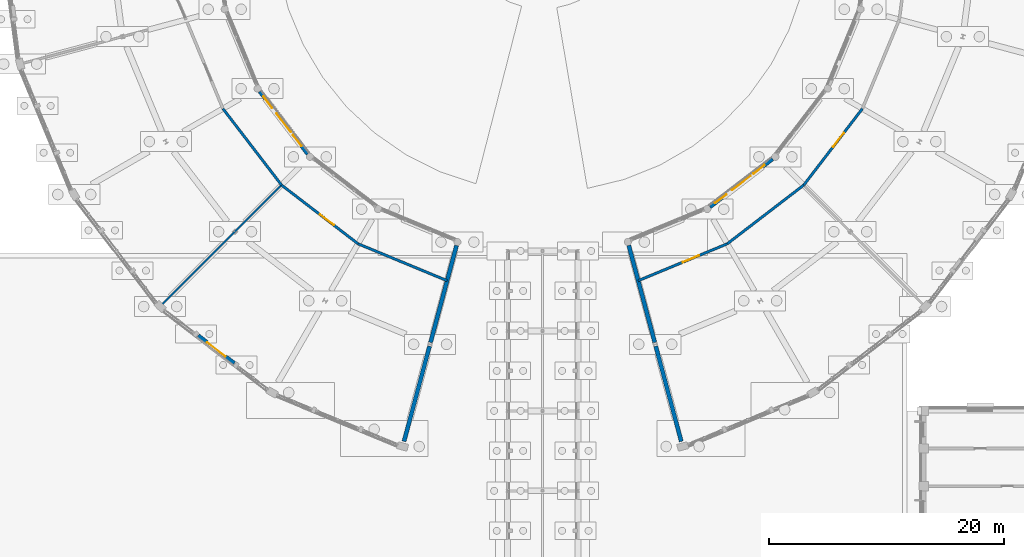
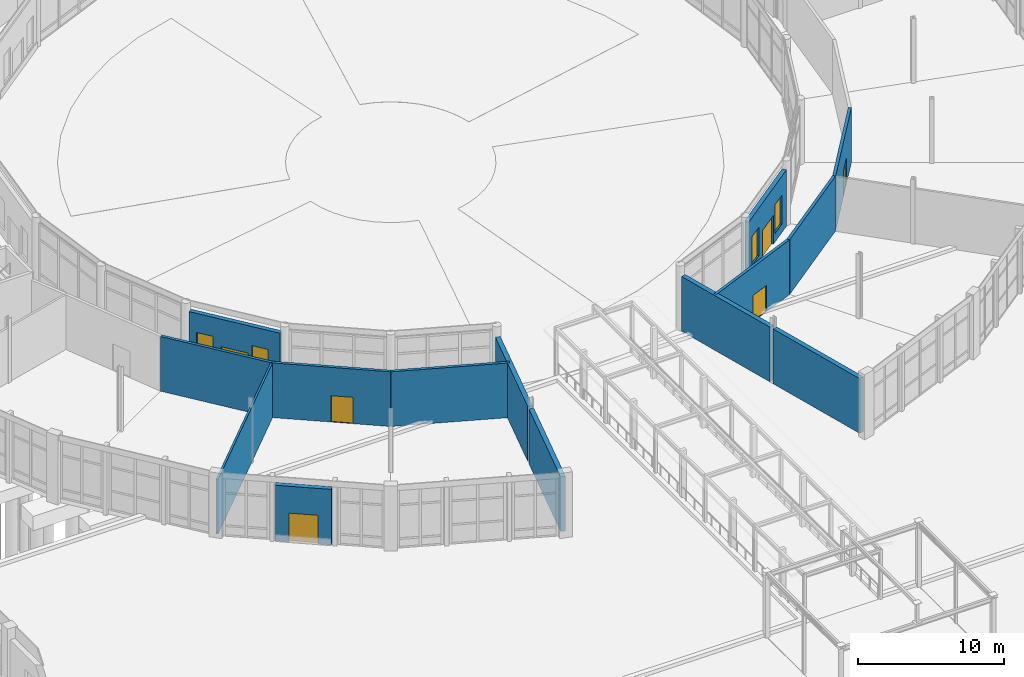
# One storey, part 104 of 137: 14 walls, 6 doors, 4 windows, 10 openings.
"""IFC4 building model written with IfcOpenShell, lengths in metres."""

from ifc_helpers import new_model, si_unit, direction, frame, frame_2d, origin, place, context, subcontext, project, spatial, rectangle, extrude, material, layer, layer_set, type_object, element, fill, save


model = new_model("IFC4")

# Units and contexts
model_context = context("Model", 3, precision=1e-05, world=origin(), true_north=direction((0.0, 1.0)))
body_context = subcontext(model_context, "Body", "Model", "MODEL_VIEW")
ifc_project = project(units=[si_unit("LENGTHUNIT", "METRE"), si_unit("AREAUNIT", "SQUARE_METRE"), si_unit("VOLUMEUNIT", "CUBIC_METRE"), si_unit("PLANEANGLEUNIT", "RADIAN"), si_unit("MASSUNIT", "GRAM", prefix="KILO")], contexts=[model_context])

# Site, building, storey
site_placement = place(None, origin())
site = spatial("IfcSite", under=ifc_project, at=site_placement, CompositionType="ELEMENT")
building_placement = place(site_placement, origin())
building = spatial("IfcBuilding", under=site, at=building_placement, Name="Vondelvale Polytechnic", CompositionType="ELEMENT")
storey_placement = place(building_placement, origin())
storey = spatial("IfcBuildingStorey", under=building, at=storey_placement, Name="L00", CompositionType="ELEMENT", Elevation=0.0)

# Wall, openings, door, windows
ifc_material_1 = material(Name="Amsterdam School iron-spot clinker clay brickwork", Category="masonry")
ifc_layer_1 = layer(ifc_material_1, 0.320068359375)
ifc_layer_set_1 = layer_set([ifc_layer_1], Name="WL-BRICK-320")
wall_type_1 = type_object("IfcWallType", Name="WL-BRICK-320", PredefinedType="SOLIDWALL", material=ifc_layer_set_1)
wall_1_placement = place(storey_placement, frame((77.933837890625, 57.76220703125, 0.0), z_axis=(0.0, 0.0, 1.0), x_axis=(0.608748490637, -0.793363268085, 0.0)))
wall_1 = element("IfcWall", 1, at=wall_1_placement, inside=storey, type_object=wall_type_1, Name="L00 exterior masonry facade wall", PredefinedType="SOLIDWALL", context=body_context, shape_type="SweptSolid", body=[
    extrude(rectangle(XDim=6.7099609375, YDim=0.320068359375, at=frame_2d((3.35498046875, 0.0))), origin(), (0.0, 0.0, 1.0), 4.694091796875),
])
opening_1_placement = place(wall_1_placement, frame((2.35498046875, 0.0, 0.0)))
opening_1 = element("IfcOpeningElement", 2, at=opening_1_placement, cuts=wall_1, Name="Opening ED-032", PredefinedType="OPENING", context=body_context, shape_type="SweptSolid", body=[
    extrude(rectangle(XDim=2.0, YDim=2.39990234375, at=frame_2d((1.0, 1.199951171875))), frame((0.0, 0.169921875, 0.0), z_axis=(0.0, -1.0, 0.0), x_axis=(1.0, 0.0, 0.0)), (0.0, 0.0, 1.0), 0.340087890625),
])
opening_2_placement = place(wall_1_placement, frame((0.550048828125, 0.0, 0.699951171875)))
opening_2 = element("IfcOpeningElement", 3, at=opening_2_placement, cuts=wall_1, Name="Opening WN-0454", PredefinedType="OPENING", context=body_context, shape_type="SweptSolid", body=[
    extrude(rectangle(XDim=1.199951171875, YDim=2.39990234375, at=frame_2d((0.60009765625, 1.199951171875))), frame((0.0, 0.169921875, 0.0), z_axis=(0.0, -1.0, 0.0), x_axis=(1.0, 0.0, 0.0)), (0.0, 0.0, 1.0), 0.340087890625),
])
opening_3_placement = place(wall_1_placement, frame((4.64990234375, 0.0, 0.699951171875)))
opening_3 = element("IfcOpeningElement", 4, at=opening_3_placement, cuts=wall_1, Name="Opening WN-0455", PredefinedType="OPENING", context=body_context, shape_type="SweptSolid", body=[
    extrude(rectangle(XDim=1.199951171875, YDim=2.39990234375, at=frame_2d((0.60009765625, 1.199951171875))), frame((0.0, 0.169921875, 0.0), z_axis=(0.0, -1.0, 0.0), x_axis=(1.0, 0.0, 0.0)), (0.0, 0.0, 1.0), 0.340087890625),
])
ifc_material_2 = material(Name="Anodised extruded aluminium 6063-T6", Category="aluminium")
door_type_1 = type_object("IfcDoorType", Name="DR-EXT-2000x2400", OperationType="DOUBLE_DOOR_SINGLE_SWING", PredefinedType="DOOR", material=ifc_material_2)
door_1_placement = place(opening_1_placement, origin())
door_1 = element("IfcDoor", 5, at=door_1_placement, inside=storey, type_object=door_type_1, Name="L00 exterior entrance/exit door ED-032", OperationType="DOUBLE_DOOR_SINGLE_SWING", OverallHeight=2.39990234375, OverallWidth=2.0, PredefinedType="DOOR", context=body_context, shape_type="SweptSolid", body=[
    extrude(rectangle(XDim=2.0, YDim=2.39990234375, at=frame_2d((1.0, 1.199951171875))), frame((0.0, 0.02490234375, 0.0), z_axis=(0.0, -1.0, 0.0), x_axis=(1.0, 0.0, 0.0)), (0.0, 0.0, 1.0), 0.050048828125),
])
fill(opening_1, door_1)
ifc_material_3 = material(Name="Double-glazed low-E insulated architectural glass", Category="glass")
window_type = type_object("IfcWindowType", Name="WN-ARCH-1200x2400", PartitioningType="SINGLE_PANEL", PredefinedType="WINDOW", material=ifc_material_3)
window_1_placement = place(opening_2_placement, origin())
window_1 = element("IfcWindow", 6, at=window_1_placement, inside=storey, type_object=window_type, Name="L00 double-glazed architectural window WN-0454", OverallHeight=2.39990234375, OverallWidth=1.199951171875, PartitioningType="SINGLE_PANEL", PredefinedType="WINDOW", context=body_context, shape_type="SweptSolid", body=[
    extrude(rectangle(XDim=1.199951171875, YDim=2.39990234375, at=frame_2d((0.60009765625, 1.199951171875))), frame((0.0, 0.030029296875, 0.0), z_axis=(0.0, -1.0, 0.0), x_axis=(1.0, 0.0, 0.0)), (0.0, 0.0, 1.0), 0.06005859375),
])
fill(opening_2, window_1)
window_2_placement = place(opening_3_placement, origin())
window_2 = element("IfcWindow", 7, at=window_2_placement, inside=storey, type_object=window_type, Name="L00 double-glazed architectural window WN-0455", OverallHeight=2.39990234375, OverallWidth=1.199951171875, PartitioningType="SINGLE_PANEL", PredefinedType="WINDOW", context=body_context, shape_type="SweptSolid", body=[
    extrude(rectangle(XDim=1.199951171875, YDim=2.39990234375, at=frame_2d((0.60009765625, 1.199951171875))), frame((0.0, 0.030029296875, 0.0), z_axis=(0.0, -1.0, 0.0), x_axis=(1.0, 0.0, 0.0)), (0.0, 0.0, 1.0), 0.06005859375),
])
fill(opening_3, window_2)

wall_2_placement = place(storey_placement, frame((116.23779296875, 47.933837890625, 0.0), z_axis=(0.0, 0.0, 1.0), x_axis=(0.793363268085, 0.608748490637, 0.0)))
wall_2 = element("IfcWall", 8, at=wall_2_placement, inside=storey, type_object=wall_type_1, Name="L00 exterior masonry facade wall", PredefinedType="SOLIDWALL", context=body_context, shape_type="SweptSolid", body=[
    extrude(rectangle(XDim=6.7099609375, YDim=0.320068359375, at=frame_2d((3.35498046875, 0.0))), origin(), (0.0, 0.0, 1.0), 4.694091796875),
])
opening_4_placement = place(wall_2_placement, frame((2.35498046875, 0.0, 0.0)))
opening_4 = element("IfcOpeningElement", 9, at=opening_4_placement, cuts=wall_2, Name="Opening ED-034", PredefinedType="OPENING", context=body_context, shape_type="SweptSolid", body=[
    extrude(rectangle(XDim=2.0, YDim=2.39990234375, at=frame_2d((1.0, 1.199951171875))), frame((0.0, 0.169921875, 0.0), z_axis=(0.0, -1.0, 0.0), x_axis=(1.0, 0.0, 0.0)), (0.0, 0.0, 1.0), 0.340087890625),
])
opening_5_placement = place(wall_2_placement, frame((0.550048828125, 0.0, 0.699951171875)))
opening_5 = element("IfcOpeningElement", 10, at=opening_5_placement, cuts=wall_2, Name="Opening WN-0456", PredefinedType="OPENING", context=body_context, shape_type="SweptSolid", body=[
    extrude(rectangle(XDim=1.199951171875, YDim=2.39990234375, at=frame_2d((0.60009765625, 1.199951171875))), frame((0.0, 0.169921875, 0.0), z_axis=(0.0, -1.0, 0.0), x_axis=(1.0, 0.0, 0.0)), (0.0, 0.0, 1.0), 0.340087890625),
])
opening_6_placement = place(wall_2_placement, frame((4.64990234375, 0.0, 0.699951171875)))
opening_6 = element("IfcOpeningElement", 11, at=opening_6_placement, cuts=wall_2, Name="Opening WN-0457", PredefinedType="OPENING", context=body_context, shape_type="SweptSolid", body=[
    extrude(rectangle(XDim=1.199951171875, YDim=2.39990234375, at=frame_2d((0.60009765625, 1.199951171875))), frame((0.0, 0.169921875, 0.0), z_axis=(0.0, -1.0, 0.0), x_axis=(1.0, 0.0, 0.0)), (0.0, 0.0, 1.0), 0.340087890625),
])
door_2_placement = place(opening_4_placement, origin())
door_2 = element("IfcDoor", 12, at=door_2_placement, inside=storey, type_object=door_type_1, Name="L00 exterior entrance/exit door ED-034", OperationType="DOUBLE_DOOR_SINGLE_SWING", OverallHeight=2.39990234375, OverallWidth=2.0, PredefinedType="DOOR", context=body_context, shape_type="SweptSolid", body=[
    extrude(rectangle(XDim=2.0, YDim=2.39990234375, at=frame_2d((1.0, 1.199951171875))), frame((0.0, 0.02490234375, 0.0), z_axis=(0.0, -1.0, 0.0), x_axis=(1.0, 0.0, 0.0)), (0.0, 0.0, 1.0), 0.050048828125),
])
fill(opening_4, door_2)
window_3_placement = place(opening_5_placement, origin())
window_3 = element("IfcWindow", 13, at=window_3_placement, inside=storey, type_object=window_type, Name="L00 double-glazed architectural window WN-0456", OverallHeight=2.39990234375, OverallWidth=1.199951171875, PartitioningType="SINGLE_PANEL", PredefinedType="WINDOW", context=body_context, shape_type="SweptSolid", body=[
    extrude(rectangle(XDim=1.199951171875, YDim=2.39990234375, at=frame_2d((0.60009765625, 1.199951171875))), frame((0.0, 0.030029296875, 0.0), z_axis=(0.0, -1.0, 0.0), x_axis=(1.0, 0.0, 0.0)), (0.0, 0.0, 1.0), 0.06005859375),
])
fill(opening_5, window_3)
window_4_placement = place(opening_6_placement, origin())
window_4 = element("IfcWindow", 14, at=window_4_placement, inside=storey, type_object=window_type, Name="L00 double-glazed architectural window WN-0457", OverallHeight=2.39990234375, OverallWidth=1.199951171875, PartitioningType="SINGLE_PANEL", PredefinedType="WINDOW", context=body_context, shape_type="SweptSolid", body=[
    extrude(rectangle(XDim=1.199951171875, YDim=2.39990234375, at=frame_2d((0.60009765625, 1.199951171875))), frame((0.0, 0.030029296875, 0.0), z_axis=(0.0, -1.0, 0.0), x_axis=(1.0, 0.0, 0.0)), (0.0, 0.0, 1.0), 0.06005859375),
])
fill(opening_6, window_4)

# Wall, opening, door
ifc_layer_2 = layer(ifc_material_1, 0.35009765625)
ifc_layer_set_2 = layer_set([ifc_layer_2], Name="WL-BRICK-350")
wall_type_2 = type_object("IfcWallType", Name="WL-BRICK-350", PredefinedType="SOLIDWALL", material=ifc_layer_set_2)
wall_3_placement = place(storey_placement, frame((75.772216796875, 34.6396484375, 0.0), z_axis=(0.0, 0.0, 1.0), x_axis=(-0.79338299148, 0.608722784878, 0.0)))
wall_3 = element("IfcWall", 15, at=wall_3_placement, inside=storey, type_object=wall_type_2, Name="L00 exterior masonry facade wall", PredefinedType="SOLIDWALL", context=body_context, shape_type="SweptSolid", body=[
    extrude(rectangle(XDim=3.87109375, YDim=0.35009765625, at=frame_2d((1.935546875, 0.0))), origin(), (0.0, 0.0, 1.0), 4.64306640625),
])
opening_7_placement = place(wall_3_placement, frame((0.935546875, 0.0, 0.0)))
opening_7 = element("IfcOpeningElement", 16, at=opening_7_placement, cuts=wall_3, Name="Opening ED-033", PredefinedType="OPENING", context=body_context, shape_type="SweptSolid", body=[
    extrude(rectangle(XDim=2.0, YDim=2.39990234375, at=frame_2d((1.0, 1.199951171875))), frame((0.0, 0.18505859375, 0.0), z_axis=(0.0, -1.0, 0.0), x_axis=(1.0, 0.0, 0.0)), (0.0, 0.0, 1.0), 0.3701171875),
])
door_3_placement = place(opening_7_placement, origin())
door_3 = element("IfcDoor", 17, at=door_3_placement, inside=storey, type_object=door_type_1, Name="L00 exterior entrance/exit door ED-033", OperationType="DOUBLE_DOOR_SINGLE_SWING", OverallHeight=2.39990234375, OverallWidth=2.0, PredefinedType="DOOR", context=body_context, shape_type="SweptSolid", body=[
    extrude(rectangle(XDim=2.0, YDim=2.39990234375, at=frame_2d((1.0, 1.199951171875))), frame((0.0, 0.02490234375, 0.0), z_axis=(0.0, -1.0, 0.0), x_axis=(1.0, 0.0, 0.0)), (0.0, 0.0, 1.0), 0.050048828125),
])
fill(opening_7, door_3)

# Walls
wall_4_placement = place(storey_placement, frame((94.675537109375, 44.66455078125, 0.0), z_axis=(0.0, 0.0, 1.0), x_axis=(-0.258815641999, -0.965926738141, 0.0)))
element("IfcWall", 18, at=wall_4_placement, inside=storey, type_object=wall_type_2, Name="L00 exterior masonry facade wall", PredefinedType="SOLIDWALL", context=body_context, shape_type="SweptSolid", body=[
    extrude(rectangle(XDim=8.538818359375, YDim=0.35009765625, at=frame_2d((4.26953125, 0.0))), origin(), (0.0, 0.0, 1.0), 4.56689453125),
])
for number, where, z_axis, x_axis, name in (
    (19, (92.3818359375, 36.104736328125, 0.0), (0.0, 0.0, 1.0), (-0.258821925128, -0.965925054584, 0.0), "L00 exterior masonry facade wall"),
    (20, (113.7890625, 28.0029296875, 0.0), (0.0, 0.0, 1.0), (-0.258821925128, 0.965925054584, 0.0), "L00 exterior masonry facade wall"),
):
    element("IfcWall", number, at=place(storey_placement, frame(where, z_axis=z_axis, x_axis=x_axis)), inside=storey, type_object=wall_type_2, Name=name, PredefinedType="SOLIDWALL", context=body_context, shape_type="SweptSolid", body=[
        extrude(rectangle(XDim=8.3876953125, YDim=0.35009765625, at=frame_2d((4.19384765625, 0.0))), origin(), (0.0, 0.0, 1.0), 4.56689453125),
    ])
wall_5_placement = place(storey_placement, frame((111.534423828125, 36.416748046875, 0.0), z_axis=(0.0, 0.0, 1.0), x_axis=(-0.258815641999, 0.965926738141, 0.0)))
element("IfcWall", 21, at=wall_5_placement, inside=storey, type_object=wall_type_2, Name="L00 exterior masonry facade wall", PredefinedType="SOLIDWALL", context=body_context, shape_type="SweptSolid", body=[
    extrude(rectangle(XDim=8.538818359375, YDim=0.35009765625, at=frame_2d((4.26953125, 0.0))), origin(), (0.0, 0.0, 1.0), 4.56689453125),
])

# Wall, opening, door
ifc_material_4 = material(Name="Fire-rated double-layer plasterboard stud partition")
ifc_layer_3 = layer(ifc_material_4, 0.219970703125)
ifc_layer_set_3 = layer_set([ifc_layer_3], Name="WL-CORR-220")
wall_type_3 = type_object("IfcWallType", Name="WL-CORR-220", PredefinedType="PARTITIONING", material=ifc_layer_set_3)
wall_6_placement = place(storey_placement, frame((110.126953125, 41.669921875, 0.0), z_axis=(0.0, 0.0, 1.0), x_axis=(0.923874167149, 0.382696385238, 0.0)))
wall_6 = element("IfcWall", 22, at=wall_6_placement, inside=storey, type_object=wall_type_3, Name="L00 interior acoustic partition", PredefinedType="PARTITIONING", context=body_context, shape_type="SweptSolid", body=[
    extrude(rectangle(XDim=8.197021484375, YDim=0.219970703125, at=frame_2d((4.0986328125, 0.0))), origin(), (0.0, 0.0, 1.0), 4.56689453125),
])
opening_8_placement = place(wall_6_placement, frame((4.10009765625, 0.0, 0.0)))
opening_8 = element("IfcOpeningElement", 23, at=opening_8_placement, cuts=wall_6, Name="Opening ID-0287", PredefinedType="OPENING", context=body_context, shape_type="SweptSolid", body=[
    extrude(rectangle(XDim=1.5, YDim=2.199951171875, at=frame_2d((0.75, 1.10009765625))), frame((0.0, 0.119873046875, 0.0), z_axis=(0.0, -1.0, 0.0), x_axis=(1.0, 0.0, 0.0)), (0.0, 0.0, 1.0), 0.239990234375),
])
ifc_material_5 = material(Name="Fire-rated solid Tasmanian oak joinery")
door_type_2 = type_object("IfcDoorType", Name="DR-LAB-1500x2200", OperationType="DOUBLE_DOOR_SINGLE_SWING", PredefinedType="DOOR", material=ifc_material_5)
door_4_placement = place(opening_8_placement, origin())
door_4 = element("IfcDoor", 24, at=door_4_placement, inside=storey, type_object=door_type_2, Name="L00 interior room door ID-0287", OperationType="DOUBLE_DOOR_SINGLE_SWING", OverallHeight=2.199951171875, OverallWidth=1.5, PredefinedType="DOOR", context=body_context, shape_type="SweptSolid", body=[
    extrude(rectangle(XDim=1.5, YDim=2.199951171875, at=frame_2d((0.75, 1.10009765625))), frame((0.0, 0.02490234375, 0.0), z_axis=(0.0, -1.0, 0.0), x_axis=(1.0, 0.0, 0.0)), (0.0, 0.0, 1.0), 0.050048828125),
])
fill(opening_8, door_4)

# Wall
wall_7_placement = place(storey_placement, frame((117.699951171875, 44.806884765625, 0.0), z_axis=(0.0, 0.0, 1.0), x_axis=(0.793357497113, 0.608756011694, 0.0)))
element("IfcWall", 25, at=wall_7_placement, inside=storey, type_object=wall_type_3, Name="L00 interior acoustic partition", PredefinedType="PARTITIONING", context=body_context, shape_type="SweptSolid", body=[
    extrude(rectangle(XDim=8.197021484375, YDim=0.219970703125, at=frame_2d((4.0986328125, 0.0))), origin(), (0.0, 0.0, 1.0), 4.56689453125),
])

# Wall, opening, door
wall_8_placement = place(storey_placement, frame((124.203125, 49.796875, 0.0), z_axis=(0.0, 0.0, 1.0), x_axis=(0.608756011694, 0.793357497113, 0.0)))
wall_8 = element("IfcWall", 26, at=wall_8_placement, inside=storey, type_object=wall_type_3, Name="L00 interior acoustic partition", PredefinedType="PARTITIONING", context=body_context, shape_type="SweptSolid", body=[
    extrude(rectangle(XDim=8.197021484375, YDim=0.219970703125, at=frame_2d((4.0986328125, 0.0))), origin(), (0.0, 0.0, 1.0), 4.56689453125),
])
opening_9_placement = place(wall_8_placement, frame((4.10009765625, 0.0, 0.0)))
opening_9 = element("IfcOpeningElement", 27, at=opening_9_placement, cuts=wall_8, Name="Opening ID-0288", PredefinedType="OPENING", context=body_context, shape_type="SweptSolid", body=[
    extrude(rectangle(XDim=1.5, YDim=2.199951171875, at=frame_2d((0.75, 1.10009765625))), frame((0.0, 0.119873046875, 0.0), z_axis=(0.0, -1.0, 0.0), x_axis=(1.0, 0.0, 0.0)), (0.0, 0.0, 1.0), 0.239990234375),
])
door_5_placement = place(opening_9_placement, origin())
door_5 = element("IfcDoor", 28, at=door_5_placement, inside=storey, type_object=door_type_2, Name="L00 interior room door ID-0288", OperationType="DOUBLE_DOOR_SINGLE_SWING", OverallHeight=2.199951171875, OverallWidth=1.5, PredefinedType="DOOR", context=body_context, shape_type="SweptSolid", body=[
    extrude(rectangle(XDim=1.5, YDim=2.199951171875, at=frame_2d((0.75, 1.10009765625))), frame((0.0, 0.02490234375, 0.0), z_axis=(0.0, -1.0, 0.0), x_axis=(1.0, 0.0, 0.0)), (0.0, 0.0, 1.0), 0.050048828125),
])
fill(opening_9, door_5)

# Wall
wall_9_placement = place(storey_placement, frame((74.806884765625, 56.300048828125, 0.0), z_axis=(0.0, 0.0, 1.0), x_axis=(0.608756011694, -0.793357497113, 0.0)))
element("IfcWall", 29, at=wall_9_placement, inside=storey, type_object=wall_type_3, Name="L00 interior acoustic partition", PredefinedType="PARTITIONING", context=body_context, shape_type="SweptSolid", body=[
    extrude(rectangle(XDim=8.197021484375, YDim=0.219970703125, at=frame_2d((4.0986328125, 0.0))), origin(), (0.0, 0.0, 1.0), 4.56689453125),
])

# Wall, opening, door
wall_10_placement = place(storey_placement, frame((79.796875, 49.796875, 0.0), z_axis=(0.0, 0.0, 1.0), x_axis=(0.793357497113, -0.608756011694, 0.0)))
wall_10 = element("IfcWall", 30, at=wall_10_placement, inside=storey, type_object=wall_type_3, Name="L00 interior acoustic partition", PredefinedType="PARTITIONING", context=body_context, shape_type="SweptSolid", body=[
    extrude(rectangle(XDim=8.197021484375, YDim=0.219970703125, at=frame_2d((4.0986328125, 0.0))), origin(), (0.0, 0.0, 1.0), 4.56689453125),
])
opening_10_placement = place(wall_10_placement, frame((4.10009765625, 0.0, 0.0)))
opening_10 = element("IfcOpeningElement", 31, at=opening_10_placement, cuts=wall_10, Name="Opening ID-0295", PredefinedType="OPENING", context=body_context, shape_type="SweptSolid", body=[
    extrude(rectangle(XDim=1.5, YDim=2.199951171875, at=frame_2d((0.75, 1.10009765625))), frame((0.0, 0.119873046875, 0.0), z_axis=(0.0, -1.0, 0.0), x_axis=(1.0, 0.0, 0.0)), (0.0, 0.0, 1.0), 0.239990234375),
])
door_6_placement = place(opening_10_placement, origin())
door_6 = element("IfcDoor", 32, at=door_6_placement, inside=storey, type_object=door_type_2, Name="L00 interior room door ID-0295", OperationType="DOUBLE_DOOR_SINGLE_SWING", OverallHeight=2.199951171875, OverallWidth=1.5, PredefinedType="DOOR", context=body_context, shape_type="SweptSolid", body=[
    extrude(rectangle(XDim=1.5, YDim=2.199951171875, at=frame_2d((0.75, 1.10009765625))), frame((0.0, 0.02490234375, 0.0), z_axis=(0.0, -1.0, 0.0), x_axis=(1.0, 0.0, 0.0)), (0.0, 0.0, 1.0), 0.050048828125),
])
fill(opening_10, door_6)

# Walls
wall_11_placement = place(storey_placement, frame((86.300048828125, 44.806884765625, 0.0), z_axis=(0.0, 0.0, 1.0), x_axis=(0.923874167149, -0.382696385238, 0.0)))
element("IfcWall", 33, at=wall_11_placement, inside=storey, type_object=wall_type_3, Name="L00 interior acoustic partition", PredefinedType="PARTITIONING", context=body_context, shape_type="SweptSolid", body=[
    extrude(rectangle(XDim=8.197021484375, YDim=0.219970703125, at=frame_2d((4.0986328125, 0.0))), origin(), (0.0, 0.0, 1.0), 4.56689453125),
])
ifc_layer_4 = layer(ifc_material_4, 0.14990234375)
ifc_layer_set_4 = layer_set([ifc_layer_4], Name="WL-INT-150")
wall_type_4 = type_object("IfcWallType", Name="WL-INT-150", PredefinedType="PARTITIONING", material=ifc_layer_set_4)
wall_12_placement = place(storey_placement, frame((79.796875, 49.796875, 0.0), z_axis=(0.0, 0.0, 1.0), x_axis=(-0.707106781187, -0.707106781187, 0.0)))
element("IfcWall", 34, at=wall_12_placement, inside=storey, type_object=wall_type_4, Name="L00 interior acoustic partition", PredefinedType="PARTITIONING", context=body_context, shape_type="SweptSolid", body=[
    extrude(rectangle(XDim=14.480224609375, YDim=0.14990234375, at=frame_2d((7.240234375, 0.0))), origin(), (0.0, 0.0, 1.0), 4.56689453125),
])

save(model, "model.ifc")
